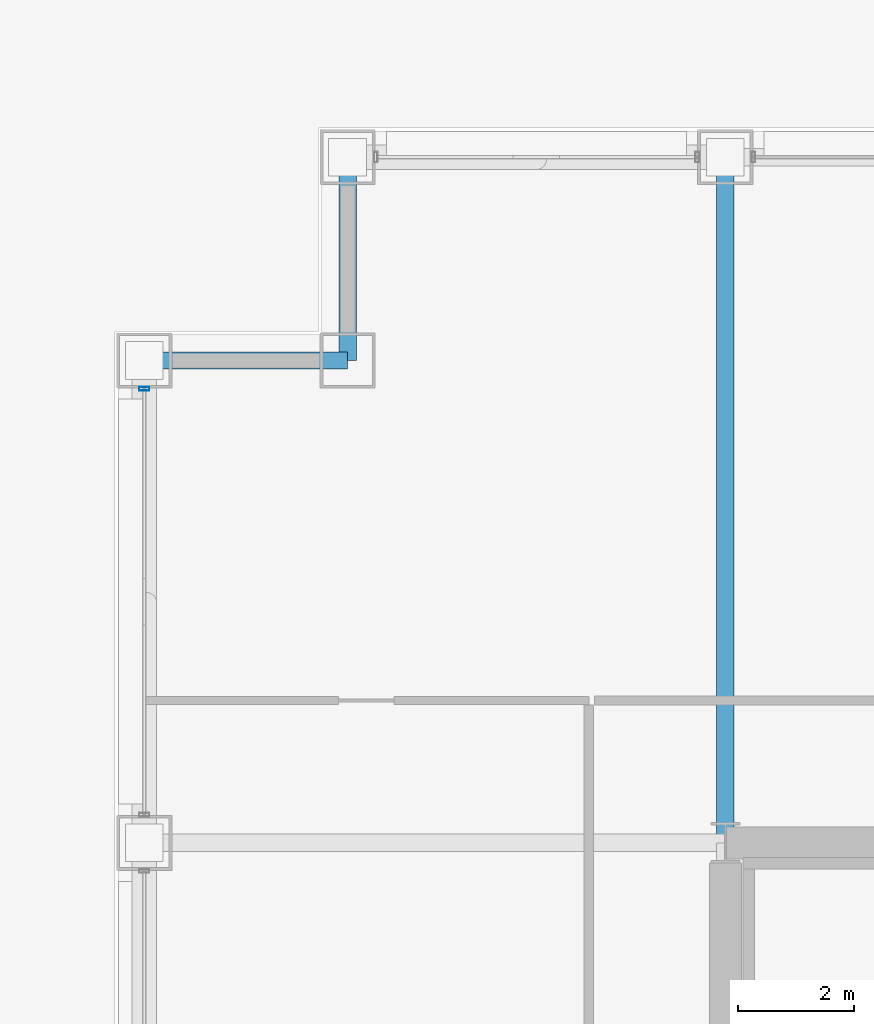
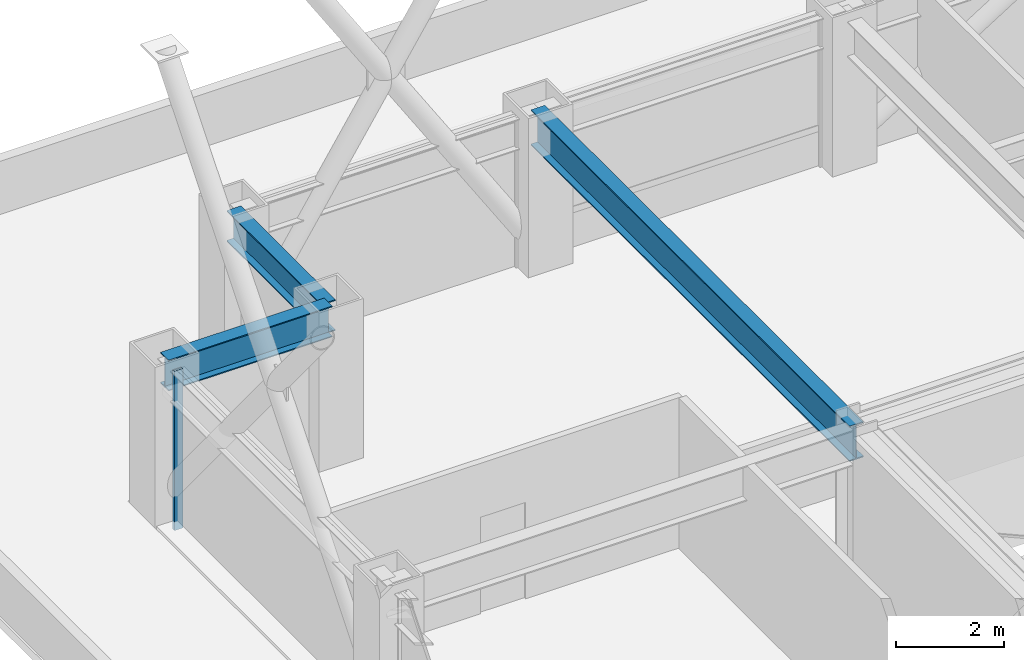
# One storey, part 19 of 33: 3 beams, 1 member, 1 element without a shape of its own.
"""IFC4 building model written with IfcOpenShell, lengths in metres."""

from ifc_helpers import new_model, si_unit, direction, frame, origin, origin_2d, place, context, subcontext, project, spatial, hollow_rectangle, i_section, extrude, material, layer, layer_set, material_profile, profile_set, type_object, element, aggregate, save


model = new_model("IFC4")

# Units and contexts
model_context = context("Model", 3, precision=1e-05, world=origin(), true_north=direction((0.0, 1.0)))
body_context = subcontext(model_context, "Body", "Model", "MODEL_VIEW")
ifc_project = project(units=[si_unit("LENGTHUNIT", "METRE"), si_unit("AREAUNIT", "SQUARE_METRE"), si_unit("VOLUMEUNIT", "CUBIC_METRE"), si_unit("PLANEANGLEUNIT", "RADIAN"), si_unit("MASSUNIT", "GRAM", prefix="KILO")], contexts=[model_context])

# Site, building, storey
site_placement = place(None, origin())
site = spatial("IfcSite", under=ifc_project, at=site_placement, CompositionType="ELEMENT")
building_placement = place(site_placement, origin())
building = spatial("IfcBuilding", under=site, at=building_placement, Name="Brelmoor Portico Tower", CompositionType="ELEMENT")
storey_placement = place(building_placement, frame((0.0, 0.0, 24.0)))
storey = spatial("IfcBuildingStorey", under=building, at=storey_placement, Name="L05", CompositionType="ELEMENT", Elevation=24.0)

# Beams
ifc_material_1 = material(Name="Steel Q355B", Category="steel")
ifc_material_profile_1 = material_profile(ifc_material_1, i_section(OverallWidth=0.300048828125, OverallDepth=0.800048828125, WebThickness=0.013916015625, FlangeThickness=0.02587890625, at=origin_2d()), Name="HN 800x300x14x26")
ifc_profile_set_1 = profile_set([ifc_material_profile_1], Name="Steel Q355B")
beam_type_1 = type_object("IfcBeamType", Name="BM-PG-800", PredefinedType="BEAM", material=ifc_profile_set_1)
beam_placement = place(storey_placement, frame((-14.550048828125, 9.75, 3.0), z_axis=(0.0, 1.0, 0.0), x_axis=(-1.0, 0.0, 0.0)))
element("IfcBeam", 1, at=beam_placement, inside=storey, type_object=beam_type_1, Name="L05 Primary Floor Girder PG-06", PredefinedType="BEAM", context=body_context, shape_type="SweptSolid", body=[
    extrude(i_section(OverallWidth=0.300048828125, OverallDepth=0.800048828125, WebThickness=0.013916015625, FlangeThickness=0.02587890625, at=origin_2d()), origin(), (0.0, 0.0, 1.0), 11.800048828125),
])
ifc_material_profile_2 = material_profile(ifc_material_1, i_section(OverallWidth=0.300048828125, OverallDepth=0.699951171875, WebThickness=0.012939453125, FlangeThickness=0.02392578125, at=origin_2d()), Name="HN 700x300x13x24")
ifc_profile_set_2 = profile_set([ifc_material_profile_2], Name="Steel Q355B")
beam_type_2 = type_object("IfcBeamType", Name="BM-SP-700", PredefinedType="SPANDREL", material=ifc_profile_set_2)
for number, where, z_axis, x_axis, name in (
    (2, (-24.550048828125, 18.050048828125, 3.050048828125), (1.0, 0.0, 0.0), (0.0, 1.0, 0.0), "L05 Perimeter Spandrel Beam SP-08"),
    (3, (-21.050048828125, 18.050048828125, 3.050048828125), (0.0, 1.0, 0.0), (-1.0, 0.0, 0.0), "L05 Perimeter Spandrel Beam SP-19"),
):
    element("IfcBeam", number, at=place(storey_placement, frame(where, z_axis=z_axis, x_axis=x_axis)), inside=storey, type_object=beam_type_2, Name=name, PredefinedType="SPANDREL", context=body_context, shape_type="SweptSolid", body=[
        extrude(i_section(OverallWidth=0.300048828125, OverallDepth=0.699951171875, WebThickness=0.012939453125, FlangeThickness=0.02392578125, at=origin_2d()), origin(), (0.0, 0.0, 1.0), 3.5),
    ])

# Curtain wall, member
ifc_material_2 = material(Name="Anodised Aluminium Alloy 6063-T6", Category="aluminium")
ifc_layer = layer(ifc_material_2, 0.179931640625)
ifc_layer_set = layer_set([ifc_layer], Name="Anodised Aluminium Alloy 6063-T6")
curtain_wall_type = type_object("IfcCurtainWallType", Name="CW-TOWER-Z1-XB", PredefinedType="NOTDEFINED", material=ifc_layer_set)
curtain_wall_placement = place(storey_placement, origin())
curtain_wall = element("IfcCurtainWall", 4, at=curtain_wall_placement, inside=storey, type_object=curtain_wall_type, Name="L05 Curtain Wall CW-L05-03-3", PredefinedType="NOTDEFINED")
ifc_material_profile_3 = material_profile(ifc_material_2, hollow_rectangle(XDim=0.06494140625, YDim=0.179931640625, WallThickness=0.00390625, at=origin_2d()), Name="ALU MULLION 65x180")
ifc_profile_set_3 = profile_set([ifc_material_profile_3], Name="Anodised Aluminium Alloy 6063-T6")
member_type = type_object("IfcMemberType", Name="MB-CW-MULL-180", PredefinedType="MULLION", material=ifc_profile_set_3)
member_placement = place(storey_placement, frame((-24.550048828125, 17.56494140625, -0.199951171875), z_axis=(0.0, 0.0, 1.0), x_axis=(0.0, 1.0, 0.0)))
member = element("IfcMember", 5, at=member_placement, type_object=member_type, Name="CW-L05-03-3 Mullion 01", PredefinedType="MULLION", context=body_context, shape_type="SweptSolid", body=[
    extrude(hollow_rectangle(XDim=0.06494140625, YDim=0.179931640625, WallThickness=0.00390625, at=origin_2d()), origin(), (0.0, 0.0, 1.0), 3.599853515625),
])
aggregate(curtain_wall, [member])

save(model, "model.ifc")
